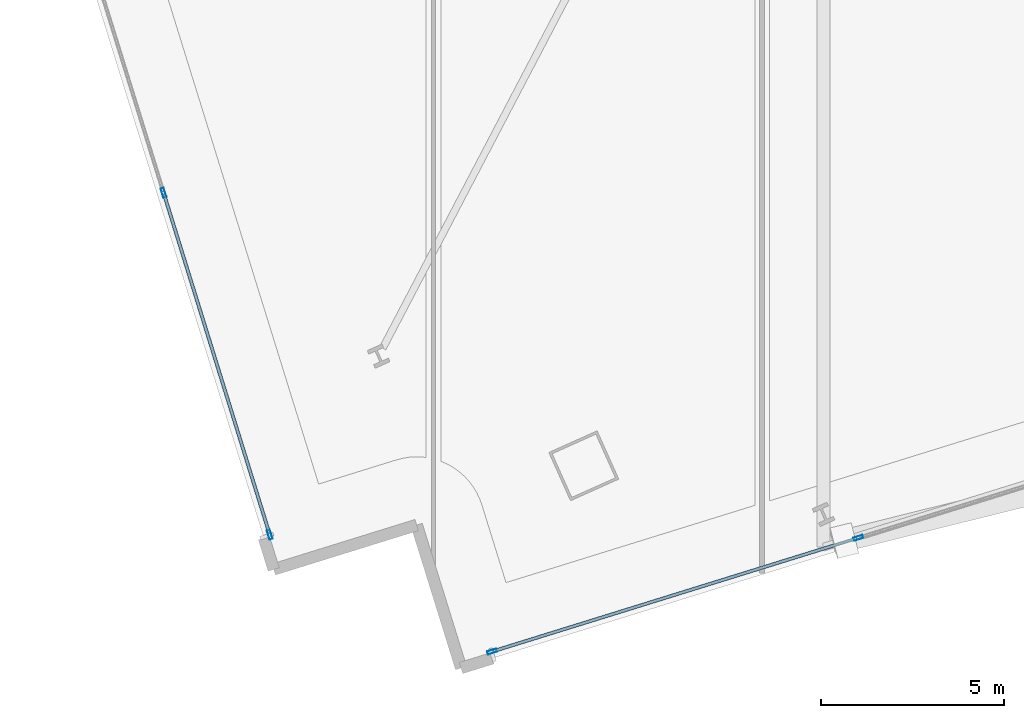
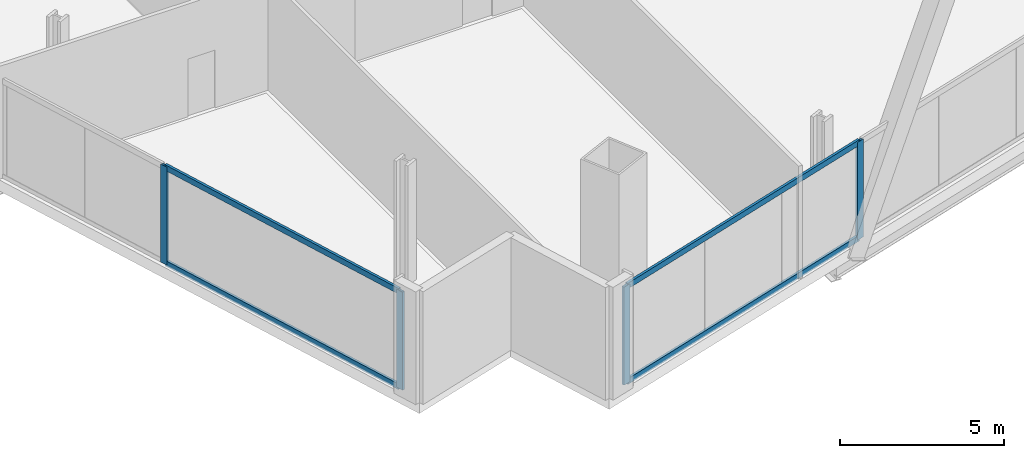
# One storey, part 2 of 26: 8 members, 2 elements without a shape of their own.
"""IFC4 building model written with IfcOpenShell, lengths in metres."""

from ifc_helpers import new_model, si_unit, direction, frame, origin, origin_2d, place, context, subcontext, project, spatial, hollow_rectangle, extrude, material, material_profile, profile_set, type_object, element, aggregate, save


model = new_model("IFC4")

# Units and contexts
model_context = context("Model", 3, precision=1e-05, world=origin(), true_north=direction((0.0, 1.0)))
body_context = subcontext(model_context, "Body", "Model", "MODEL_VIEW")
ifc_project = project(units=[si_unit("LENGTHUNIT", "METRE"), si_unit("AREAUNIT", "SQUARE_METRE"), si_unit("VOLUMEUNIT", "CUBIC_METRE"), si_unit("PLANEANGLEUNIT", "RADIAN"), si_unit("MASSUNIT", "GRAM", prefix="KILO")], contexts=[model_context])

# Site, building, storey
site_placement = place(None, origin())
site = spatial("IfcSite", under=ifc_project, at=site_placement, CompositionType="ELEMENT")
building_placement = place(site_placement, origin())
building = spatial("IfcBuilding", under=site, at=building_placement, Name="Haldenkirk Collegiate Tower", CompositionType="ELEMENT")
storey_placement = place(building_placement, frame((0.0, 0.0, 85.949951171875)))
storey = spatial("IfcBuildingStorey", under=building, at=storey_placement, Name="L20", CompositionType="ELEMENT", Elevation=85.949951171875)

# Curtain wall, members
ifc_material = material(Name="Anodised architectural bronze aluminium", Category="aluminium")
curtain_wall_type = type_object("IfcCurtainWallType", Name="CW-SYS4-SKYGARDEN", PredefinedType="USERDEFINED", material=ifc_material)
curtain_wall_1_placement = place(storey_placement, origin())
curtain_wall_1 = element("IfcCurtainWall", 1, at=curtain_wall_1_placement, inside=storey, type_object=curtain_wall_type, Name="L20 Sky-garden tall bronze curtain wall", ObjectType="UNITISED CURTAIN WALL", PredefinedType="USERDEFINED")
ifc_material_profile_1 = material_profile(ifc_material, hollow_rectangle(XDim=0.090087890625, YDim=0.260009765625, WallThickness=0.0048828125, at=origin_2d()), Name="CW-MUL-04")
ifc_profile_set_1 = profile_set([ifc_material_profile_1], Name="Anodised architectural bronze aluminium")
member_type_1 = type_object("IfcMemberType", Name="CW-MUL-04", PredefinedType="MULLION", material=ifc_profile_set_1)
member_1_placement = place(storey_placement, frame((33.136474609375, -0.3544921875, 0.0), z_axis=(0.0, 0.0, 1.0), x_axis=(0.29654000631, -0.955020431539, 0.0)))
member_1 = element("IfcMember", 2, at=member_1_placement, type_object=member_type_1, Name="CW-04 mullion 4", PredefinedType="MULLION", context=body_context, shape_type="SweptSolid", body=[
    extrude(hollow_rectangle(XDim=0.090087890625, YDim=0.260009765625, WallThickness=0.0048828125, at=origin_2d()), origin(), (0.0, 0.0, 1.0), 3.651123046875),
])
member_2_placement = place(storey_placement, frame((23.103759765625, -3.4697265625, 0.0), z_axis=(0.0, 0.0, 1.0), x_axis=(0.29654000631, -0.955020431539, 0.0)))
member_2 = element("IfcMember", 3, at=member_2_placement, type_object=member_type_1, Name="CW-04 mullion 5", PredefinedType="MULLION", context=body_context, shape_type="SweptSolid", body=[
    extrude(hollow_rectangle(XDim=0.090087890625, YDim=0.260009765625, WallThickness=0.0048828125, at=origin_2d()), origin(), (0.0, 0.0, 1.0), 3.651123046875),
])

curtain_wall_2_placement = place(storey_placement, origin())
curtain_wall_2 = element("IfcCurtainWall", 4, at=curtain_wall_2_placement, inside=storey, type_object=curtain_wall_type, Name="L20 Sky-garden tall bronze curtain wall", ObjectType="UNITISED CURTAIN WALL", PredefinedType="USERDEFINED")
member_3_placement = place(storey_placement, frame((17.01513671875, -0.26611328125, 0.0), z_axis=(0.0, 0.0, 1.0), x_axis=(-0.955020249653, -0.296540592082, 0.0)))
member_3 = element("IfcMember", 5, at=member_3_placement, type_object=member_type_1, Name="CW-04 mullion 1", PredefinedType="MULLION", context=body_context, shape_type="SweptSolid", body=[
    extrude(hollow_rectangle(XDim=0.090087890625, YDim=0.260009765625, WallThickness=0.0048828125, at=origin_2d()), origin(), (0.0, 0.0, 1.0), 3.651123046875),
])
member_4_placement = place(storey_placement, frame((14.107421875, 9.09765625, 0.0), z_axis=(0.0, 0.0, 1.0), x_axis=(-0.955020249653, -0.296540592082, 0.0)))
member_4 = element("IfcMember", 6, at=member_4_placement, type_object=member_type_1, Name="CW-04 mullion 2", PredefinedType="MULLION", context=body_context, shape_type="SweptSolid", body=[
    extrude(hollow_rectangle(XDim=0.090087890625, YDim=0.260009765625, WallThickness=0.0048828125, at=origin_2d()), origin(), (0.0, 0.0, 1.0), 3.651123046875),
])

# Member
ifc_material_profile_2 = material_profile(ifc_material, hollow_rectangle(XDim=0.090087890625, YDim=0.2099609375, WallThickness=0.0048828125, at=origin_2d()), Name="CW-TRN-04")
ifc_profile_set_2 = profile_set([ifc_material_profile_2], Name="Anodised architectural bronze aluminium")
member_type_2 = type_object("IfcMemberType", Name="CW-TRN-04", PredefinedType="USERDEFINED", material=ifc_profile_set_2)
member_5_placement = place(storey_placement, frame((33.093505859375, -0.367919921875, 0.045166015625), z_axis=(-0.955022711103, -0.296532664772, 0.0), x_axis=(0.296532664772, -0.955022711103, 0.0)))
member_5 = element("IfcMember", 7, at=member_5_placement, type_object=member_type_2, Name="CW-04 transom 4.1", ObjectType="TRANSOM", PredefinedType="USERDEFINED", context=body_context, shape_type="SweptSolid", body=[
    extrude(hollow_rectangle(XDim=0.090087890625, YDim=0.2099609375, WallThickness=0.0048828125, at=origin_2d()), origin(), (0.0, 0.0, 1.0), 10.4150390625),
])

member_6_placement = place(storey_placement, frame((33.093505859375, -0.367919921875, 3.60595703125), z_axis=(-0.955022711103, -0.296532664772, 0.0), x_axis=(0.296532664772, -0.955022711103, 0.0)))
member_6 = element("IfcMember", 8, at=member_6_placement, type_object=member_type_2, Name="CW-04 transom 4.2", ObjectType="TRANSOM", PredefinedType="USERDEFINED", context=body_context, shape_type="SweptSolid", body=[
    extrude(hollow_rectangle(XDim=0.090087890625, YDim=0.2099609375, WallThickness=0.0048828125, at=origin_2d()), origin(), (0.0, 0.0, 1.0), 10.4150390625),
])

aggregate(curtain_wall_1, [member_1, member_2, member_5, member_6])

member_7_placement = place(storey_placement, frame((17.001708984375, -0.22314453125, 0.045166015625), z_axis=(-0.296543072896, 0.955019479339, 0.0), x_axis=(-0.955019479339, -0.296543072896, 0.0)))
member_7 = element("IfcMember", 9, at=member_7_placement, type_object=member_type_2, Name="CW-04 transom 1.1", ObjectType="TRANSOM", PredefinedType="USERDEFINED", context=body_context, shape_type="SweptSolid", body=[
    extrude(hollow_rectangle(XDim=0.090087890625, YDim=0.2099609375, WallThickness=0.0048828125, at=origin_2d()), origin(), (0.0, 0.0, 1.0), 9.71484375),
])

member_8_placement = place(storey_placement, frame((17.001708984375, -0.22314453125, 3.60595703125), z_axis=(-0.296543072896, 0.955019479339, 0.0), x_axis=(-0.955019479339, -0.296543072896, 0.0)))
member_8 = element("IfcMember", 10, at=member_8_placement, type_object=member_type_2, Name="CW-04 transom 1.2", ObjectType="TRANSOM", PredefinedType="USERDEFINED", context=body_context, shape_type="SweptSolid", body=[
    extrude(hollow_rectangle(XDim=0.090087890625, YDim=0.2099609375, WallThickness=0.0048828125, at=origin_2d()), origin(), (0.0, 0.0, 1.0), 9.71484375),
])

aggregate(curtain_wall_2, [member_3, member_4, member_7, member_8])

save(model, "model.ifc")
